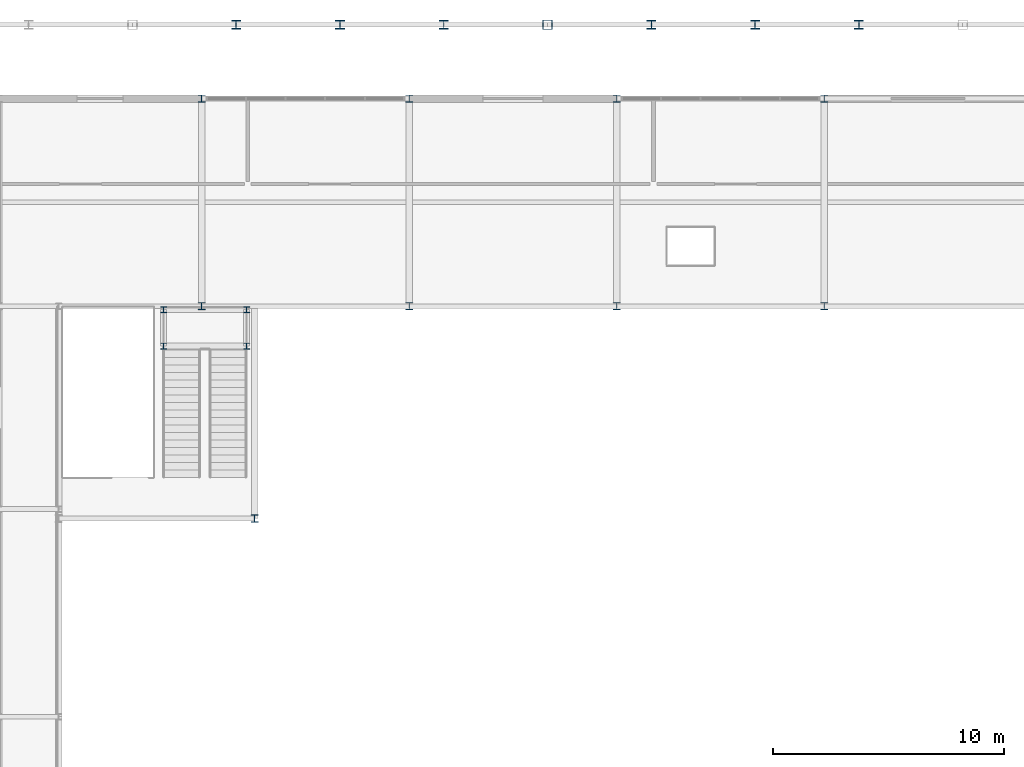
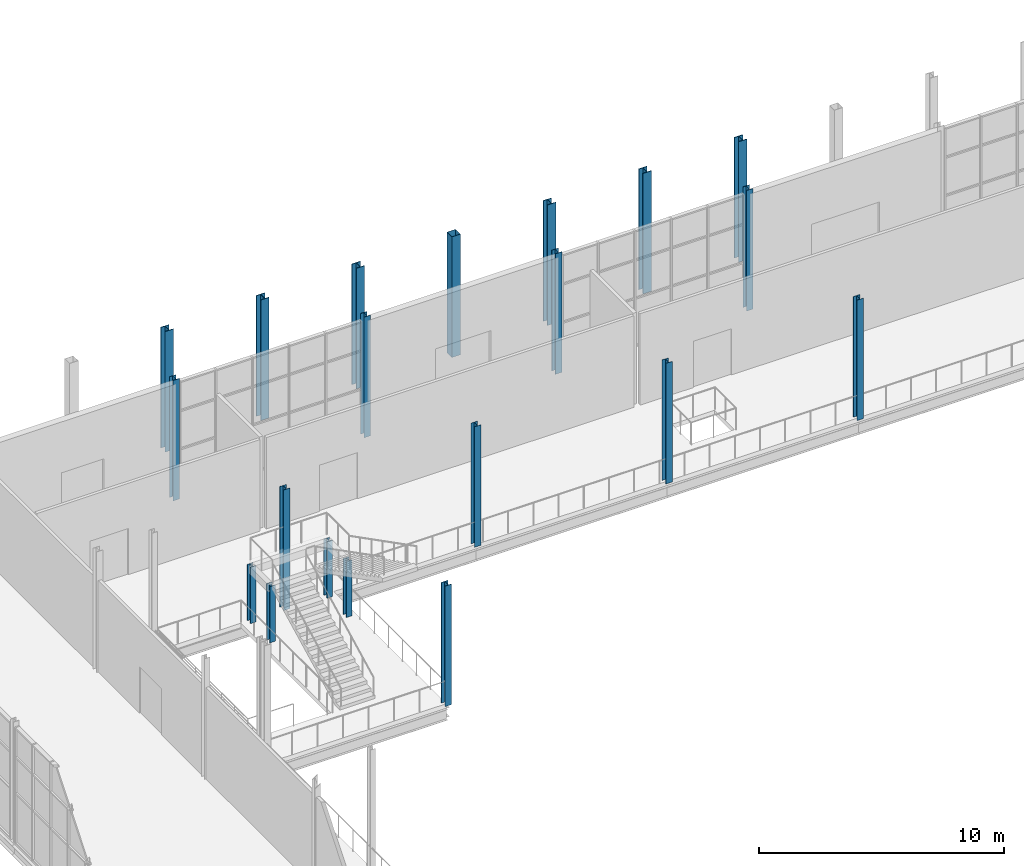
# One storey, part 14 of 159: 20 columns.
"""IFC4 building model written with IfcOpenShell, lengths in metres."""

from ifc_helpers import new_model, si_unit, direction, frame, origin, origin_2d, place, context, subcontext, project, spatial, hollow_rectangle, i_section, extrude, material, material_profile, profile_set, type_object, element, save


model = new_model("IFC4")

# Units and contexts
model_context = context("Model", 3, precision=1e-05, world=origin(), true_north=direction((0.0, 1.0)))
body_context = subcontext(model_context, "Body", "Model", "MODEL_VIEW")
ifc_project = project(units=[si_unit("LENGTHUNIT", "METRE"), si_unit("AREAUNIT", "SQUARE_METRE"), si_unit("VOLUMEUNIT", "CUBIC_METRE"), si_unit("PLANEANGLEUNIT", "RADIAN"), si_unit("MASSUNIT", "GRAM", prefix="KILO")], contexts=[model_context])

# Site, building, storey
site_placement = place(None, origin())
site = spatial("IfcSite", under=ifc_project, at=site_placement, CompositionType="ELEMENT")
building_placement = place(site_placement, origin())
building = spatial("IfcBuilding", under=site, at=building_placement, Name="Cazmaro Siding Exhibition Halls", CompositionType="ELEMENT")
storey_placement = place(building_placement, frame((0.0, 0.0, 6.0)))
storey = spatial("IfcBuildingStorey", under=building, at=storey_placement, Name="L01", CompositionType="ELEMENT", Elevation=6.0)

# Columns
ifc_material_1 = material(Name="Steel ASTM A992 Grade 50", Category="steel")
ifc_material_profile_1 = material_profile(ifc_material_1, i_section(OverallWidth=0.39208984375, OverallDepth=0.3759765625, WebThickness=0.01708984375, FlangeThickness=0.028076171875, at=origin_2d()), Name="W14X145")
ifc_profile_set_1 = profile_set([ifc_material_profile_1], Name="Steel ASTM A992 Grade 50")
column_type_1 = type_object("IfcColumnType", Name="C-03", PredefinedType="COLUMN", material=ifc_profile_set_1)
for number, where, z_axis, x_axis, name in (
    (1, (67.5, 124.0, 0.0), (0.0, 0.0, 1.0), (1.0, 0.0, 0.0), "Column C-03 COL-0035"),
    (2, (76.5, 124.0, 0.0), (0.0, 0.0, 1.0), (1.0, 0.0, 0.0), "Column C-03 COL-0047"),
    (3, (85.5, 124.0, 0.0), (0.0, 0.0, 1.0), (1.0, 0.0, 0.0), "Column C-03 COL-0059"),
    (4, (94.5, 124.0, 0.0), (0.0, 0.0, 1.0), (1.0, 0.0, 0.0), "Column C-03 COL-0071"),
):
    element("IfcColumn", number, at=place(storey_placement, frame(where, z_axis=z_axis, x_axis=x_axis)), inside=storey, type_object=column_type_1, Name=name, PredefinedType="COLUMN", context=body_context, shape_type="SweptSolid", body=[
        extrude(i_section(OverallWidth=0.39208984375, OverallDepth=0.3759765625, WebThickness=0.01708984375, FlangeThickness=0.028076171875, at=origin_2d()), origin(), (0.0, 0.0, 1.0), 6.0),
    ])
ifc_material_2 = material(Name="Steel ASTM A992 Grade 50", Category="steel")
ifc_material_profile_2 = material_profile(ifc_material_2, i_section(OverallWidth=0.304931640625, OverallDepth=0.306884765625, WebThickness=0.010009765625, FlangeThickness=0.014892578125, at=origin_2d()), Name="W12X65")
ifc_profile_set_2 = profile_set([ifc_material_profile_2], Name="Steel ASTM A992 Grade 50")
column_type_2 = type_object("IfcColumnType", Name="C-06", PredefinedType="COLUMN", material=ifc_profile_set_2)
for number, where, z_axis, x_axis, name in (
    (5, (66.0, 111.800048828125, 0.0), (0.0, 0.0, 1.0), (1.0, 0.0, 0.0), "Column C-06 COL-0281"),
    (6, (66.0, 120.800048828125, 0.0), (0.0, 0.0, 1.0), (1.0, 0.0, 0.0), "Column C-06 COL-0283"),
    (7, (75.0, 111.800048828125, 0.0), (0.0, 0.0, 1.0), (1.0, 0.0, 0.0), "Column C-06 COL-0291"),
    (8, (75.0, 120.800048828125, 0.0), (0.0, 0.0, 1.0), (1.0, 0.0, 0.0), "Column C-06 COL-0293"),
    (9, (84.0, 111.800048828125, 0.0), (0.0, 0.0, 1.0), (1.0, 0.0, 0.0), "Column C-06 COL-0301"),
    (10, (84.0, 120.800048828125, 0.0), (0.0, 0.0, 1.0), (1.0, 0.0, 0.0), "Column C-06 COL-0303"),
    (11, (93.0, 111.800048828125, 0.0), (0.0, 0.0, 1.0), (1.0, 0.0, 0.0), "Column C-06 COL-0311"),
    (12, (93.0, 120.800048828125, 0.0), (0.0, 0.0, 1.0), (1.0, 0.0, 0.0), "Column C-06 COL-0313"),
):
    element("IfcColumn", number, at=place(storey_placement, frame(where, z_axis=z_axis, x_axis=x_axis)), inside=storey, type_object=column_type_2, Name=name, PredefinedType="COLUMN", context=body_context, shape_type="SweptSolid", body=[
        extrude(i_section(OverallWidth=0.304931640625, OverallDepth=0.306884765625, WebThickness=0.010009765625, FlangeThickness=0.014892578125, at=origin_2d()), origin(), (0.0, 0.0, 1.0), 6.0),
    ])
ifc_material_3 = material(Name="Steel ASTM A992 Grade 50", Category="steel")
ifc_material_profile_3 = material_profile(ifc_material_3, i_section(OverallWidth=0.39892578125, OverallDepth=0.386962890625, WebThickness=0.02099609375, FlangeThickness=0.032958984375, at=origin_2d()), Name="W14X176")
ifc_profile_set_3 = profile_set([ifc_material_profile_3], Name="Steel ASTM A992 Grade 50")
column_type_3 = type_object("IfcColumnType", Name="C-11", PredefinedType="COLUMN", material=ifc_profile_set_3)
for number, where, z_axis, x_axis, name in (
    (13, (72.0, 124.0, 0.0), (0.0, 0.0, 1.0), (1.0, 0.0, 0.0), "Column C-11 COL-0041"),
    (14, (90.0, 124.0, 0.0), (0.0, 0.0, 1.0), (1.0, 0.0, 0.0), "Column C-11 COL-0065"),
):
    element("IfcColumn", number, at=place(storey_placement, frame(where, z_axis=z_axis, x_axis=x_axis)), inside=storey, type_object=column_type_3, Name=name, PredefinedType="COLUMN", context=body_context, shape_type="SweptSolid", body=[
        extrude(i_section(OverallWidth=0.39892578125, OverallDepth=0.386962890625, WebThickness=0.02099609375, FlangeThickness=0.032958984375, at=origin_2d()), origin(), (0.0, 0.0, 1.0), 6.0),
    ])
ifc_material_4 = material(Name="Steel ASTM A992 Grade 50", Category="steel")
ifc_material_profile_4 = material_profile(ifc_material_4, i_section(OverallWidth=0.30908203125, OverallDepth=0.320068359375, WebThickness=0.013916015625, FlangeThickness=0.02294921875, at=origin_2d()), Name="W12X96")
ifc_profile_set_4 = profile_set([ifc_material_profile_4], Name="Steel ASTM A992 Grade 50")
column_type_4 = type_object("IfcColumnType", Name="C-13", PredefinedType="COLUMN", material=ifc_profile_set_4)
column_1_placement = place(storey_placement, frame((68.300048828125, 102.60009765625, 0.0), z_axis=(0.0, 0.0, 1.0), x_axis=(1.0, 0.0, 0.0)))
element("IfcColumn", 15, at=column_1_placement, inside=storey, type_object=column_type_4, Name="Column C-13 COL-1200", PredefinedType="COLUMN", context=body_context, shape_type="SweptSolid", body=[
    extrude(i_section(OverallWidth=0.30908203125, OverallDepth=0.320068359375, WebThickness=0.013916015625, FlangeThickness=0.02294921875, at=origin_2d()), origin(), (0.0, 0.0, 1.0), 6.0),
])
ifc_material_5 = material(Name="Steel ASTM A992 Grade 50", Category="steel")
ifc_material_profile_5 = material_profile(ifc_material_5, i_section(OverallWidth=0.257080078125, OverallDepth=0.263916015625, WebThickness=0.011962890625, FlangeThickness=0.02001953125, at=origin_2d()), Name="W10X68")
ifc_profile_set_5 = profile_set([ifc_material_profile_5], Name="Steel ASTM A992 Grade 50")
column_type_5 = type_object("IfcColumnType", Name="C-14", PredefinedType="COLUMN", material=ifc_profile_set_5)
for number, where, z_axis, x_axis, name in (
    (16, (64.35009765625, 110.070068359375, 0.0), (0.0, 0.0, 1.0), (1.0, 0.0, 0.0), "Column C-14 COL-1158"),
    (17, (64.35009765625, 111.64990234375, 0.0), (0.0, 0.0, 1.0), (1.0, 0.0, 0.0), "Column C-14 COL-1160"),
    (18, (67.949951171875, 110.070068359375, 0.0), (0.0, 0.0, 1.0), (1.0, 0.0, 0.0), "Column C-14 COL-1162"),
    (19, (67.949951171875, 111.64990234375, 0.0), (0.0, 0.0, 1.0), (1.0, 0.0, 0.0), "Column C-14 COL-1164"),
):
    element("IfcColumn", number, at=place(storey_placement, frame(where, z_axis=z_axis, x_axis=x_axis)), inside=storey, type_object=column_type_5, Name=name, PredefinedType="COLUMN", context=body_context, shape_type="SweptSolid", body=[
        extrude(i_section(OverallWidth=0.257080078125, OverallDepth=0.263916015625, WebThickness=0.011962890625, FlangeThickness=0.02001953125, at=origin_2d()), origin(), (0.0, 0.0, 1.0), 2.800048828125),
    ])
ifc_material_6 = material(Name="Steel ASTM A500 Grade C", Category="steel")
ifc_material_profile_6 = material_profile(ifc_material_6, hollow_rectangle(XDim=0.406005859375, YDim=0.406005859375, WallThickness=0.014892578125, at=origin_2d()), Name="HSS16X16X5/8")
ifc_profile_set_6 = profile_set([ifc_material_profile_6], Name="Steel ASTM A500 Grade C")
column_type_6 = type_object("IfcColumnType", Name="PL-01", PredefinedType="PILASTER", material=ifc_profile_set_6)
column_2_placement = place(storey_placement, frame((81.0, 124.0, 0.0), z_axis=(0.0, 0.0, 1.0), x_axis=(1.0, 0.0, 0.0)))
element("IfcColumn", 20, at=column_2_placement, inside=storey, type_object=column_type_6, Name="Column PL-01 COL-0053", PredefinedType="PILASTER", context=body_context, shape_type="SweptSolid", body=[
    extrude(hollow_rectangle(XDim=0.406005859375, YDim=0.406005859375, WallThickness=0.014892578125, at=origin_2d()), origin(), (0.0, 0.0, 1.0), 6.0),
])

save(model, "model.ifc")
